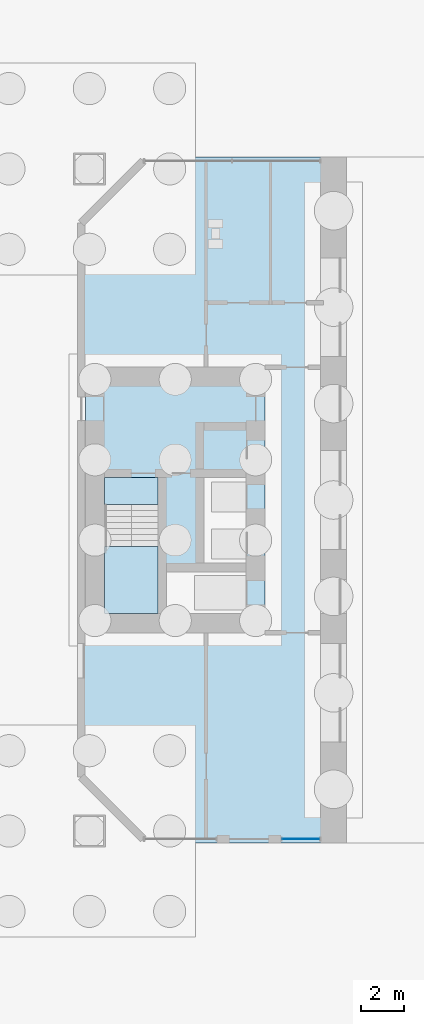
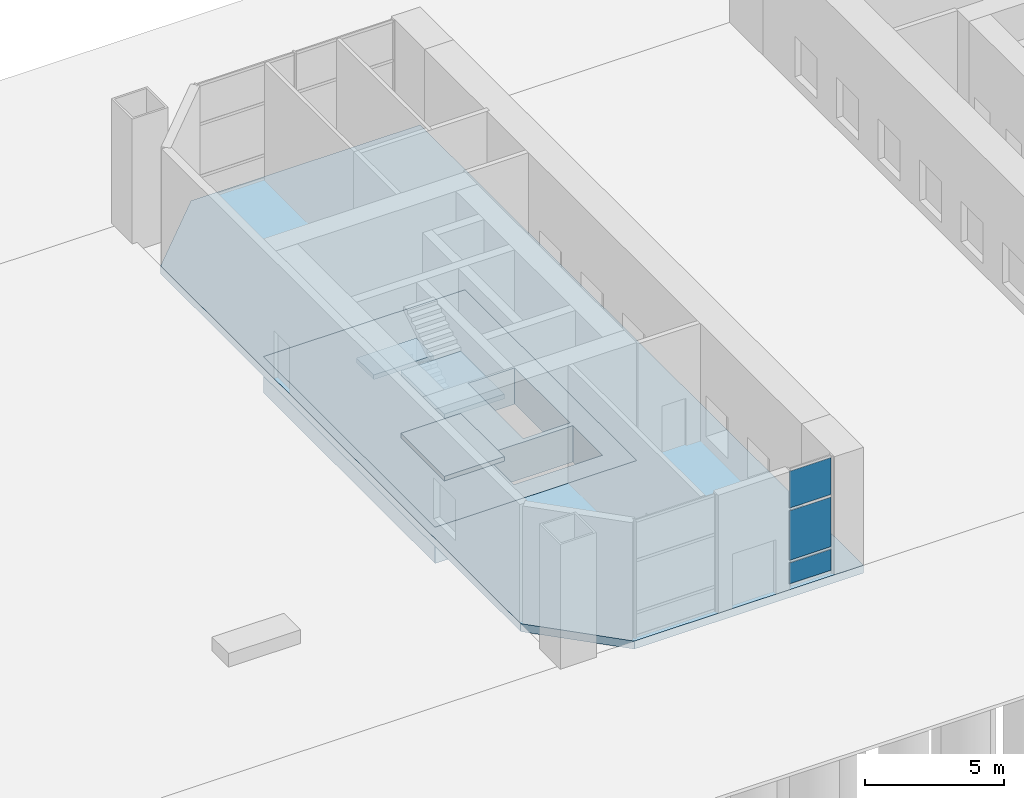
# One storey, part 11 of 26: 5 slabs, 3 plates, 2 elements without a shape of their own.
"""IFC4 building model written with IfcOpenShell, lengths in metres."""

from ifc_helpers import new_model, si_unit, direction, frame, origin, origin_2d, place, context, subcontext, project, spatial, polyline, rectangle, outline, extrude, material, layer, layer_set, type_object, element, aggregate, save


model = new_model("IFC4")

# Units and contexts
model_context = context("Model", 3, precision=1e-05, world=origin(), true_north=direction((0.0, 1.0)))
body_context = subcontext(model_context, "Body", "Model", "MODEL_VIEW")
ifc_project = project(units=[si_unit("LENGTHUNIT", "METRE"), si_unit("AREAUNIT", "SQUARE_METRE"), si_unit("VOLUMEUNIT", "CUBIC_METRE"), si_unit("PLANEANGLEUNIT", "RADIAN"), si_unit("MASSUNIT", "GRAM", prefix="KILO")], contexts=[model_context])

# Site, building, storey
site_placement = place(None, origin())
site = spatial("IfcSite", under=ifc_project, at=site_placement, CompositionType="ELEMENT")
building_placement = place(site_placement, origin())
building = spatial("IfcBuilding", under=site, at=building_placement, Name="Tuart Gate Housing", CompositionType="ELEMENT")
storey_placement = place(building_placement, origin())
storey = spatial("IfcBuildingStorey", under=building, at=storey_placement, Name="L00", CompositionType="ELEMENT", Elevation=0.0)

# Curtain wall, plates
ifc_material_1 = material(Name="Aluminium and clear glass", Category="aluminium")
curtain_wall_type = type_object("IfcCurtainWallType", Name="Ground storey glazing", PredefinedType="USERDEFINED", material=ifc_material_1)
curtain_wall_placement = place(storey_placement, origin())
curtain_wall = element("IfcCurtainWall", 1, at=curtain_wall_placement, inside=storey, type_object=curtain_wall_type, Name="Ground storey glazing B-S L00", ObjectType="GROUND STOREY GLAZING", PredefinedType="USERDEFINED")
ifc_material_2 = material(Name="Clear glass", Category="glass")
ifc_layer_1 = layer(ifc_material_2, 0.028076171875)
ifc_layer_set_1 = layer_set([ifc_layer_1], Name="Glazed panel 28")
plate_type = type_object("IfcPlateType", Name="Glazed panel 28", PredefinedType="CURTAIN_PANEL", material=ifc_layer_set_1)
plate_1_placement = place(storey_placement, frame((141.425048828125, 54.179931640625, 0.1201171875), z_axis=(0.0, 0.0, 1.0), x_axis=(1.0, 0.0, 0.0)))
plate_1 = element("IfcPlate", 2, at=plate_1_placement, type_object=plate_type, Name="CW2 panel 1.1", PredefinedType="CURTAIN_PANEL", context=body_context, shape_type="SweptSolid", body=[
    extrude(rectangle(XDim=1.72998046875, YDim=0.028076171875, at=origin_2d()), origin(), (0.0, 0.0, 1.0), 0.919921875),
])
plate_2_placement = place(storey_placement, frame((141.425048828125, 54.179931640625, 1.16015625), z_axis=(0.0, 0.0, 1.0), x_axis=(1.0, 0.0, 0.0)))
plate_2 = element("IfcPlate", 3, at=plate_2_placement, type_object=plate_type, Name="CW2 panel 1.2", PredefinedType="CURTAIN_PANEL", context=body_context, shape_type="SweptSolid", body=[
    extrude(rectangle(XDim=1.72998046875, YDim=0.028076171875, at=origin_2d()), origin(), (0.0, 0.0, 1.0), 2.179931640625),
])
plate_3_placement = place(storey_placement, frame((141.425048828125, 54.179931640625, 3.4599609375), z_axis=(0.0, 0.0, 1.0), x_axis=(1.0, 0.0, 0.0)))
plate_3 = element("IfcPlate", 4, at=plate_3_placement, type_object=plate_type, Name="CW2 panel 1.3", PredefinedType="CURTAIN_PANEL", context=body_context, shape_type="SweptSolid", body=[
    extrude(rectangle(XDim=1.72998046875, YDim=0.028076171875, at=origin_2d()), origin(), (0.0, 0.0, 1.0), 1.6201171875),
])
aggregate(curtain_wall, [plate_1, plate_2, plate_3])

# Slabs
ifc_material_3 = material(Name="Concrete C40", Category="concrete")
ifc_layer_2 = layer(ifc_material_3, 1.60009765625)
ifc_layer_set_2 = layer_set([ifc_layer_2], Name="Ground slab 1600")
slab_type_1 = type_object("IfcSlabType", Name="Ground slab 1600", PredefinedType="BASESLAB", material=ifc_layer_set_2)
slab_1_placement = place(storey_placement, frame((0.0, 0.0, -1.60009765625)))
element("IfcSlab", 5, at=slab_1_placement, inside=storey, type_object=slab_type_1, Name="Core ground slab BG", PredefinedType="BASESLAB", context=body_context, shape_type="SweptSolid", body=[
    extrude(outline(polyline([(131.360107421875, 76.199951171875), (131.360107421875, 63.800048828125), (139.760009765625, 63.800048828125), (139.760009765625, 76.199951171875), (131.360107421875, 76.199951171875)]), holes=[polyline([(135.159912109375, 66.85009765625), (138.860107421875, 66.85009765625), (138.860107421875, 64.699951171875), (135.159912109375, 64.699951171875), (135.159912109375, 66.85009765625)]), polyline([(138.860107421875, 71.050048828125), (138.860107421875, 67.050048828125), (136.909912109375, 67.050048828125), (136.909912109375, 71.050048828125), (138.860107421875, 71.050048828125)])]), origin(), (0.0, 0.0, 1.0), 1.60009765625),
])
ifc_material_4 = material(Name="Concrete C40", Category="concrete")
ifc_layer_3 = layer(ifc_material_4, 0.35009765625)
ifc_layer_set_3 = layer_set([ifc_layer_3], Name="Ground slab 350")
slab_type_2 = type_object("IfcSlabType", Name="Ground slab 350", PredefinedType="BASESLAB", material=ifc_layer_set_3)
slab_2_placement = place(storey_placement, frame((0.0, 0.0, -0.35009765625)))
element("IfcSlab", 6, at=slab_2_placement, inside=storey, type_object=slab_type_2, Name="Ground slab B part 1 L00", PredefinedType="BASESLAB", context=body_context, shape_type="SweptSolid", body=[
    extrude(outline(polyline([(143.550048828125, 86.0), (134.0, 86.0), (131.0, 83.0), (131.0, 57.0), (134.0, 54.0), (143.550048828125, 54.0), (143.550048828125, 86.0)]), holes=[polyline([(131.360107421875, 76.199951171875), (139.760009765625, 76.199951171875), (139.760009765625, 63.800048828125), (131.360107421875, 63.800048828125), (131.360107421875, 76.199951171875)])]), origin(), (0.0, 0.0, 1.0), 0.35009765625),
])

# Stair, slabs
ifc_material_5 = material(Name="Concrete C40", Category="concrete")
stair_type = type_object("IfcStairType", Name="Core stair 1250", PredefinedType="HALF_TURN_STAIR", material=ifc_material_5)
stair_placement = place(storey_placement, origin())
stair = element("IfcStair", 7, at=stair_placement, inside=storey, type_object=stair_type, Name="Stair SB1", PredefinedType="HALF_TURN_STAIR")
ifc_material_6 = material(Name="Concrete C40", Category="concrete")
ifc_layer_4 = layer(ifc_material_6, 0.199951171875)
ifc_layer_set_4 = layer_set([ifc_layer_4], Name="Stair landing 200")
slab_type_3 = type_object("IfcSlabType", Name="Stair landing 200", PredefinedType="LANDING", material=ifc_layer_set_4)
slab_3_placement = place(storey_placement, frame((0.0, 0.0, 1.175048828125)))
slab_3 = element("IfcSlab", 8, at=slab_3_placement, type_object=slab_type_3, Name="SB1 landing 1", PredefinedType="LANDING", context=body_context, shape_type="SweptSolid", body=[
    extrude(outline(polyline([(134.760009765625, 67.840087890625), (132.260009765625, 67.840087890625), (132.260009765625, 64.699951171875), (134.760009765625, 64.699951171875), (134.760009765625, 67.840087890625)])), origin(), (0.0, 0.0, 1.0), 0.199951171875),
])
slab_4_placement = place(storey_placement, frame((0.0, 0.0, 2.550048828125)))
slab_4 = element("IfcSlab", 9, at=slab_4_placement, type_object=slab_type_3, Name="SB1 landing 2", PredefinedType="LANDING", context=body_context, shape_type="SweptSolid", body=[
    extrude(outline(polyline([(132.260009765625, 71.050048828125), (132.260009765625, 69.800048828125), (134.760009765625, 69.800048828125), (134.760009765625, 71.050048828125), (132.260009765625, 71.050048828125)])), origin(), (0.0, 0.0, 1.0), 0.199951171875),
])
slab_5_placement = place(storey_placement, frame((0.0, 0.0, 3.925048828125)))
slab_5 = element("IfcSlab", 10, at=slab_5_placement, type_object=slab_type_3, Name="SB1 landing 3", PredefinedType="LANDING", context=body_context, shape_type="SweptSolid", body=[
    extrude(outline(polyline([(134.760009765625, 67.840087890625), (132.260009765625, 67.840087890625), (132.260009765625, 64.699951171875), (134.760009765625, 64.699951171875), (134.760009765625, 67.840087890625)])), origin(), (0.0, 0.0, 1.0), 0.199951171875),
])
aggregate(stair, [slab_3, slab_4, slab_5])

save(model, "model.ifc")
